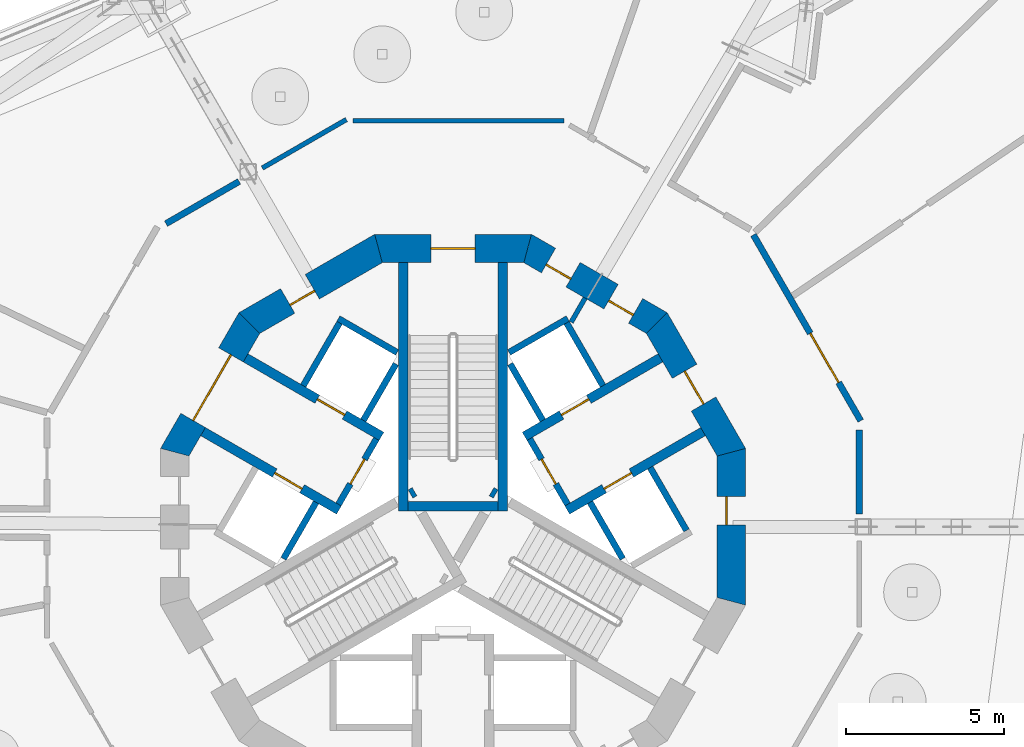
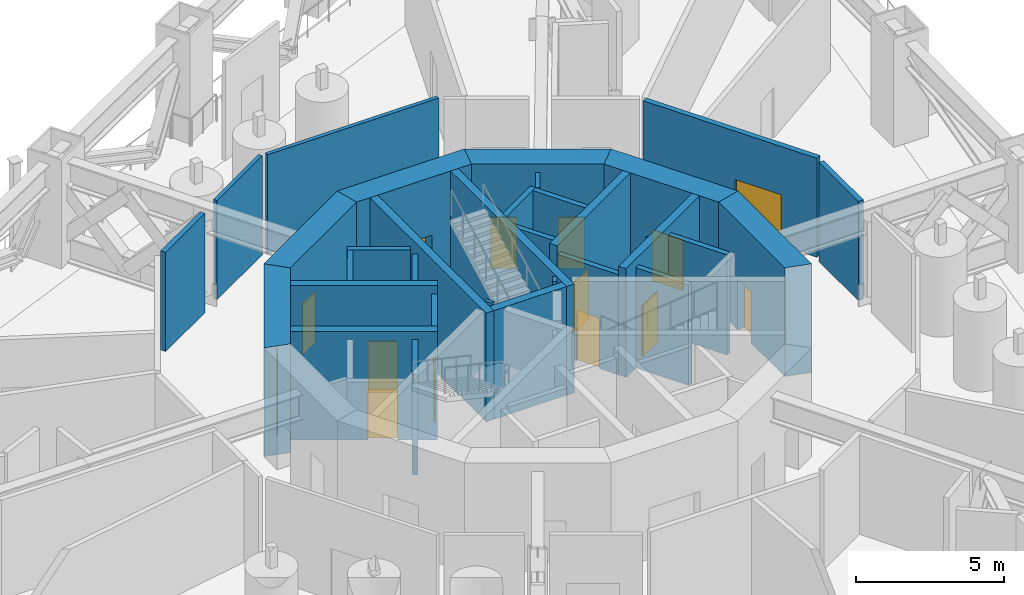
# One storey, part 11 of 23: 32 walls, 14 doors, 14 openings.
"""IFC4 building model written with IfcOpenShell, lengths in metres."""

from ifc_helpers import new_model, si_unit, direction, frame, frame_2d, origin, place, context, subcontext, project, spatial, polyline, rectangle, outline, extrude, material, layer, layer_set, type_object, element, fill, save


model = new_model("IFC4")

# Units and contexts
model_context = context("Model", 3, precision=1e-05, world=origin(), true_north=direction((0.0, 1.0)))
body_context = subcontext(model_context, "Body", "Model", "MODEL_VIEW")
ifc_project = project(units=[si_unit("LENGTHUNIT", "METRE"), si_unit("AREAUNIT", "SQUARE_METRE"), si_unit("VOLUMEUNIT", "CUBIC_METRE"), si_unit("PLANEANGLEUNIT", "RADIAN"), si_unit("MASSUNIT", "GRAM", prefix="KILO")], contexts=[model_context])

# Site, building, storey
site_placement = place(None, origin())
site = spatial("IfcSite", under=ifc_project, at=site_placement, CompositionType="ELEMENT")
building_placement = place(site_placement, origin())
building = spatial("IfcBuilding", under=site, at=building_placement, Name="Trine Commons Tower", CompositionType="ELEMENT")
storey_placement = place(building_placement, frame((0.0, 0.0, 156.60009765625)))
storey = spatial("IfcBuildingStorey", under=building, at=storey_placement, Name="L40", CompositionType="ELEMENT", Elevation=156.60009765625)

# Walls
ifc_material_1 = material(Name="Plasterboard on steel stud", Category="steel")
ifc_layer_1 = layer(ifc_material_1, 0.14990234375)
ifc_layer_set_1 = layer_set([ifc_layer_1], Name="Plasterboard on steel stud")
wall_type_1 = type_object("IfcWallType", Name="Compartment wall 150 mm, EI 60", PredefinedType="PARTITIONING", material=ifc_layer_set_1)
wall_1_placement = place(storey_placement, frame((73.953125, 73.873046875, 0.0), z_axis=(0.0, 0.0, 1.0), x_axis=(0.866011032073, 0.500024891708, 0.0)))
element("IfcWall", 1, at=wall_1_placement, inside=storey, type_object=wall_type_1, Name="Partition M40023", PredefinedType="PARTITIONING", context=body_context, shape_type="SweptSolid", body=[
    extrude(rectangle(XDim=3.074462890625, YDim=0.14990234375, at=frame_2d((1.537109375, 0.0))), origin(), (0.0, 0.0, 1.0), 4.099853515625),
])
wall_2_placement = place(storey_placement, frame((76.83056640625, 75.372802734375, 0.0), z_axis=(0.0, 0.0, 1.0), x_axis=(1.0, 0.0, 0.0)))
element("IfcWall", 2, at=wall_2_placement, inside=storey, type_object=wall_type_1, Name="Partition M40025", PredefinedType="PARTITIONING", context=body_context, shape_type="SweptSolid", body=[
    extrude(rectangle(XDim=6.693603515625, YDim=0.14990234375, at=frame_2d((3.3466796875, 0.0))), origin(), (0.0, 0.0, 1.0), 4.099853515625),
])
ifc_material_2 = material(Name="Plasterboard partition on steel studs", Category="steel")
ifc_layer_2 = layer(ifc_material_2, 0.14990234375)
ifc_layer_set_2 = layer_set([ifc_layer_2], Name="Plasterboard partition on steel studs")
wall_type_2 = type_object("IfcWallType", Name="Core room partition 150 mm, EI 60", PredefinedType="PARTITIONING", material=ifc_layer_set_2)
wall_3_placement = place(storey_placement, frame((84.18603515625, 69.7509765625, 0.0), z_axis=(0.0, 0.0, 1.0), x_axis=(-0.499890179513, -0.866088799389, 0.0)))
element("IfcWall", 3, at=wall_3_placement, inside=storey, type_object=wall_type_2, Name="Core room partition L40", PredefinedType="PARTITIONING", context=body_context, shape_type="SweptSolid", body=[
    extrude(rectangle(XDim=0.882080078125, YDim=0.14990234375, at=frame_2d((0.44091796875, 0.0))), origin(), (0.0, 0.0, 1.0), 4.14990234375),
])
ifc_layer_3 = layer(ifc_material_1, 0.199951171875)
ifc_layer_set_3 = layer_set([ifc_layer_3], Name="Plasterboard on steel stud")
wall_type_3 = type_object("IfcWallType", Name="Fire wall 200 mm, EI 120", PredefinedType="PARTITIONING", material=ifc_layer_set_3)
wall_4_placement = place(storey_placement, frame((70.899658203125, 72.110107421875, 0.0), z_axis=(0.0, 0.0, 1.0), x_axis=(0.865994143547, 0.500054140411, 0.0)))
element("IfcWall", 4, at=wall_4_placement, inside=storey, type_object=wall_type_3, Name="Partition M40021", PredefinedType="PARTITIONING", context=body_context, shape_type="SweptSolid", body=[
    extrude(rectangle(XDim=2.676025390625, YDim=0.199951171875, at=frame_2d((1.337890625, 0.0))), origin(), (0.0, 0.0, 1.0), 4.099853515625),
])

# Wall, opening, door
wall_5_placement = place(storey_placement, frame((92.9228515625, 65.86279296875, 0.0), z_axis=(0.0, 0.0, 1.0), x_axis=(-0.500022813292, 0.866012232124, 0.0)))
wall_5 = element("IfcWall", 5, at=wall_5_placement, inside=storey, type_object=wall_type_3, Name="Partition M40044", PredefinedType="PARTITIONING", context=body_context, shape_type="SweptSolid", body=[
    extrude(rectangle(XDim=6.801513671875, YDim=0.199951171875, at=frame_2d((3.40087890625, 0.0))), origin(), (0.0, 0.0, 1.0), 4.099853515625),
])
opening_1_placement = place(wall_5_placement, frame((1.399169921875, 0.0, 0.0)))
opening_1 = element("IfcOpeningElement", 6, at=opening_1_placement, cuts=wall_5, Name="Opening D-M4013", PredefinedType="OPENING", context=body_context, shape_type="SweptSolid", body=[
    extrude(rectangle(XDim=1.800048828125, YDim=2.10009765625, at=frame_2d((0.89990234375, 1.050048828125))), frame((0.0, 0.10986328125, 0.0), z_axis=(0.0, -1.0, 0.0), x_axis=(1.0, 0.0, 0.0)), (0.0, 0.0, 1.0), 0.219970703125),
])
ifc_material_3 = material(Name="Timber fire door set", Category="wood")
door_type_1 = type_object("IfcDoorType", Name="Double swing door 1800x2100, FD60", OperationType="DOUBLE_DOOR_DOUBLE_SWING", PredefinedType="DOOR", material=ifc_material_3)
door_1_placement = place(opening_1_placement, origin())
door_1 = element("IfcDoor", 7, at=door_1_placement, inside=storey, type_object=door_type_1, Name="Door D-M4013", OperationType="DOUBLE_DOOR_DOUBLE_SWING", OverallHeight=2.10009765625, OverallWidth=1.800048828125, PredefinedType="DOOR", context=body_context, shape_type="SweptSolid", body=[
    extrude(rectangle(XDim=1.800048828125, YDim=2.10009765625, at=frame_2d((0.89990234375, 1.050048828125))), frame((0.0, 0.02490234375, 0.0), z_axis=(0.0, -1.0, 0.0), x_axis=(1.0, 0.0, 0.0)), (0.0, 0.0, 1.0), 0.050048828125),
])
fill(opening_1, door_1)

# Wall
wall_6_placement = place(storey_placement, frame((92.872802734375, 62.89990234375, 0.0), z_axis=(0.0, 0.0, 1.0), x_axis=(0.0, 1.0, 0.0)))
element("IfcWall", 8, at=wall_6_placement, inside=storey, type_object=wall_type_3, Name="Partition M40053", PredefinedType="PARTITIONING", context=body_context, shape_type="SweptSolid", body=[
    extrude(rectangle(XDim=2.67626953125, YDim=0.199951171875, at=frame_2d((1.338134765625, 0.0))), origin(), (0.0, 0.0, 1.0), 4.099853515625),
])

# Wall, opening, door
ifc_material_4 = material(Name="Fire-rated gypsum shaft wall system")
ifc_layer_4 = layer(ifc_material_4, 0.199951171875)
ifc_layer_set_4 = layer_set([ifc_layer_4], Name="Fire-rated gypsum shaft wall system")
wall_type_4 = type_object("IfcWallType", Name="Lobby end wall 200 mm, EI 120", PredefinedType="PARTITIONING", material=ifc_layer_set_4)
wall_7_placement = place(storey_placement, frame((77.569091796875, 65.2890625, 0.0), z_axis=(0.0, 0.0, 1.0), x_axis=(-0.50012165622, -0.865955154139, 0.0)))
wall_7 = element("IfcWall", 9, at=wall_7_placement, inside=storey, type_object=wall_type_4, Name="Lobby end wall L40", PredefinedType="PARTITIONING", context=body_context, shape_type="SweptSolid", body=[
    extrude(rectangle(XDim=2.39990234375, YDim=0.199951171875, at=frame_2d((1.199951171875, 0.0))), origin(), (0.0, 0.0, 1.0), 4.14990234375),
])
opening_2_placement = place(wall_7_placement, frame((0.749755859375, 0.0, 0.0)))
opening_2 = element("IfcOpeningElement", 10, at=opening_2_placement, cuts=wall_7, Name="Opening K13.07", PredefinedType="OPENING", context=body_context, shape_type="SweptSolid", body=[
    extrude(rectangle(XDim=0.89990234375, YDim=2.10009765625, at=frame_2d((0.449951171875, 1.050048828125))), frame((0.0, 0.10986328125, 0.0), z_axis=(0.0, -1.0, 0.0), x_axis=(1.0, 0.0, 0.0)), (0.0, 0.0, 1.0), 0.219970703125),
])
ifc_material_5 = material(Name="Steel door leaf, fire-rated", Category="steel")
door_type_2 = type_object("IfcDoorType", Name="Riser access door, single leaf 900 x 2100, FD60", OperationType="SINGLE_SWING_LEFT", PredefinedType="DOOR", material=ifc_material_5)
door_2_placement = place(opening_2_placement, frame((0.89990234375, 0.0, 0.0), z_axis=(0.0, 0.0, 1.0), x_axis=(-1.0, 0.0, 0.0)))
door_2 = element("IfcDoor", 11, at=door_2_placement, inside=storey, type_object=door_type_2, Name="Riser door, Mechanical riser L40", OperationType="SINGLE_SWING_RIGHT", OverallHeight=2.10009765625, OverallWidth=0.89990234375, PredefinedType="DOOR", context=body_context, shape_type="SweptSolid", body=[
    extrude(rectangle(XDim=0.89990234375, YDim=2.10009765625, at=frame_2d((0.449951171875, 1.050048828125))), frame((0.0, 0.02490234375, 0.0), z_axis=(0.0, -1.0, 0.0), x_axis=(1.0, 0.0, 0.0)), (0.0, 0.0, 1.0), 0.050048828125),
])
fill(opening_2, door_2)

wall_8_placement = place(storey_placement, frame((83.631103515625, 63.2109375, 0.0), z_axis=(0.0, 0.0, 1.0), x_axis=(-0.50012165622, 0.865955154139, 0.0)))
wall_8 = element("IfcWall", 12, at=wall_8_placement, inside=storey, type_object=wall_type_4, Name="Lobby end wall L40", PredefinedType="PARTITIONING", context=body_context, shape_type="SweptSolid", body=[
    extrude(rectangle(XDim=2.39990234375, YDim=0.199951171875, at=frame_2d((1.199951171875, 0.0))), origin(), (0.0, 0.0, 1.0), 4.14990234375),
])
opening_3_placement = place(wall_8_placement, frame((0.749755859375, 0.0, 0.0)))
opening_3 = element("IfcOpeningElement", 13, at=opening_3_placement, cuts=wall_8, Name="Opening K13.05", PredefinedType="OPENING", context=body_context, shape_type="SweptSolid", body=[
    extrude(rectangle(XDim=0.89990234375, YDim=2.10009765625, at=frame_2d((0.449951171875, 1.050048828125))), frame((0.0, 0.10986328125, 0.0), z_axis=(0.0, -1.0, 0.0), x_axis=(1.0, 0.0, 0.0)), (0.0, 0.0, 1.0), 0.219970703125),
])
door_3_placement = place(opening_3_placement, frame((0.89990234375, 0.0, 0.0), z_axis=(0.0, 0.0, 1.0), x_axis=(-1.0, 0.0, 0.0)))
door_3 = element("IfcDoor", 14, at=door_3_placement, inside=storey, type_object=door_type_2, Name="Riser door, Electrical riser L40", OperationType="SINGLE_SWING_LEFT", OverallHeight=2.10009765625, OverallWidth=0.89990234375, PredefinedType="DOOR", context=body_context, shape_type="SweptSolid", body=[
    extrude(rectangle(XDim=0.89990234375, YDim=2.10009765625, at=frame_2d((0.449951171875, 1.050048828125))), frame((0.0, 0.02490234375, 0.0), z_axis=(0.0, -1.0, 0.0), x_axis=(1.0, 0.0, 0.0)), (0.0, 0.0, 1.0), 0.050048828125),
])
fill(opening_3, door_3)

ifc_material_6 = material(Name="Concrete C60/75", Category="concrete")
ifc_layer_5 = layer(ifc_material_6, 0.300048828125)
ifc_layer_set_5 = layer_set([ifc_layer_5], Name="Concrete C60/75")
wall_type_5 = type_object("IfcWallType", Name="RC shear wall 300 mm, C60/75", PredefinedType="SHEAR", material=ifc_layer_set_5)
wall_9_placement = place(storey_placement, frame((76.381103515625, 63.031005859375, 0.0), z_axis=(0.0, 0.0, 1.0), x_axis=(-0.866080953719, 0.499903772346, 0.0)))
wall_9 = element("IfcWall", 15, at=wall_9_placement, inside=storey, type_object=wall_type_5, Name="Core cross wall SWB-01 L40", PredefinedType="SHEAR", context=body_context, shape_type="SweptSolid", body=[
    extrude(rectangle(XDim=4.97314453125, YDim=0.300048828125, at=frame_2d((2.486572265625, 0.0))), origin(), (0.0, 0.0, 1.0), 4.5),
])
opening_4_placement = place(wall_9_placement, frame((1.350341796875, 0.0, 0.0)))
opening_4 = element("IfcOpeningElement", 16, at=opening_4_placement, cuts=wall_9, Name="Opening LD7", PredefinedType="OPENING", context=body_context, shape_type="SweptSolid", body=[
    extrude(rectangle(XDim=1.0, YDim=2.10009765625, at=frame_2d((0.5, 1.050048828125))), frame((0.0, 0.159912109375, 0.0), z_axis=(0.0, -1.0, 0.0), x_axis=(1.0, 0.0, 0.0)), (0.0, 0.0, 1.0), 0.320068359375),
])
ifc_material_7 = material(Name="Stainless steel sliding door leaves", Category="steel")
door_type_3 = type_object("IfcDoorType", Name="Lift landing door, centre-opening sliding 1000 x 2100, FD90", OperationType="DOUBLE_DOOR_SLIDING", PredefinedType="DOOR", material=ifc_material_7)
door_4_placement = place(opening_4_placement, origin())
door_4 = element("IfcDoor", 17, at=door_4_placement, inside=storey, type_object=door_type_3, Name="Lift landing door HR3 L40", OperationType="DOUBLE_DOOR_SLIDING", OverallHeight=2.10009765625, OverallWidth=1.0, PredefinedType="DOOR", context=body_context, shape_type="SweptSolid", body=[
    extrude(rectangle(XDim=1.0, YDim=2.10009765625, at=frame_2d((0.5, 1.050048828125))), frame((0.0, 0.02490234375, 0.0), z_axis=(0.0, -1.0, 0.0), x_axis=(1.0, 0.0, 0.0)), (0.0, 0.0, 1.0), 0.050048828125),
])
fill(opening_4, door_4)

wall_10_placement = place(storey_placement, frame((77.73095703125, 65.368896484375, 0.0), z_axis=(0.0, 0.0, 1.0), x_axis=(-0.865983655544, 0.500072303102, 0.0)))
wall_10 = element("IfcWall", 18, at=wall_10_placement, inside=storey, type_object=wall_type_5, Name="Core cross wall SWB-02 L40", PredefinedType="SHEAR", context=body_context, shape_type="SweptSolid", body=[
    extrude(rectangle(XDim=4.973388671875, YDim=0.300048828125, at=frame_2d((2.48681640625, 0.0))), origin(), (0.0, 0.0, 1.0), 4.5),
])
opening_5_placement = place(wall_10_placement, frame((1.3505859375, 0.0, 0.0)))
opening_5 = element("IfcOpeningElement", 19, at=opening_5_placement, cuts=wall_10, Name="Opening LD8", PredefinedType="OPENING", context=body_context, shape_type="SweptSolid", body=[
    extrude(rectangle(XDim=1.0, YDim=2.10009765625, at=frame_2d((0.5, 1.050048828125))), frame((0.0, 0.159912109375, 0.0), z_axis=(0.0, -1.0, 0.0), x_axis=(1.0, 0.0, 0.0)), (0.0, 0.0, 1.0), 0.320068359375),
])
door_5_placement = place(opening_5_placement, origin())
door_5 = element("IfcDoor", 20, at=door_5_placement, inside=storey, type_object=door_type_3, Name="Lift landing door HR4 L40", OperationType="DOUBLE_DOOR_SLIDING", OverallHeight=2.10009765625, OverallWidth=1.0, PredefinedType="DOOR", context=body_context, shape_type="SweptSolid", body=[
    extrude(rectangle(XDim=1.0, YDim=2.10009765625, at=frame_2d((0.5, 1.050048828125))), frame((0.0, 0.02490234375, 0.0), z_axis=(0.0, -1.0, 0.0), x_axis=(1.0, 0.0, 0.0)), (0.0, 0.0, 1.0), 0.050048828125),
])
fill(opening_5, door_5)

wall_11_placement = place(storey_placement, frame((82.26904296875, 65.368896484375, 0.0), z_axis=(0.0, 0.0, 1.0), x_axis=(0.865983655544, 0.500072303102, 0.0)))
wall_11 = element("IfcWall", 21, at=wall_11_placement, inside=storey, type_object=wall_type_5, Name="Core cross wall SWB-05 L40", PredefinedType="SHEAR", context=body_context, shape_type="SweptSolid", body=[
    extrude(rectangle(XDim=4.973388671875, YDim=0.300048828125, at=frame_2d((2.48681640625, 0.0))), origin(), (0.0, 0.0, 1.0), 4.5),
])
opening_6_placement = place(wall_11_placement, frame((1.3505859375, 0.0, 0.0)))
opening_6 = element("IfcOpeningElement", 22, at=opening_6_placement, cuts=wall_11, Name="Opening LD5", PredefinedType="OPENING", context=body_context, shape_type="SweptSolid", body=[
    extrude(rectangle(XDim=1.0, YDim=2.10009765625, at=frame_2d((0.5, 1.050048828125))), frame((0.0, 0.159912109375, 0.0), z_axis=(0.0, -1.0, 0.0), x_axis=(1.0, 0.0, 0.0)), (0.0, 0.0, 1.0), 0.320068359375),
])
door_6_placement = place(opening_6_placement, origin())
door_6 = element("IfcDoor", 23, at=door_6_placement, inside=storey, type_object=door_type_3, Name="Lift landing door HR1 L40", OperationType="DOUBLE_DOOR_SLIDING", OverallHeight=2.10009765625, OverallWidth=1.0, PredefinedType="DOOR", context=body_context, shape_type="SweptSolid", body=[
    extrude(rectangle(XDim=1.0, YDim=2.10009765625, at=frame_2d((0.5, 1.050048828125))), frame((0.0, 0.02490234375, 0.0), z_axis=(0.0, -1.0, 0.0), x_axis=(1.0, 0.0, 0.0)), (0.0, 0.0, 1.0), 0.050048828125),
])
fill(opening_6, door_6)

wall_12_placement = place(storey_placement, frame((83.618896484375, 63.031005859375, 0.0), z_axis=(0.0, 0.0, 1.0), x_axis=(0.866080953719, 0.499903772346, 0.0)))
wall_12 = element("IfcWall", 24, at=wall_12_placement, inside=storey, type_object=wall_type_5, Name="Core cross wall SWB-06 L40", PredefinedType="SHEAR", context=body_context, shape_type="SweptSolid", body=[
    extrude(rectangle(XDim=4.97314453125, YDim=0.300048828125, at=frame_2d((2.486572265625, 0.0))), origin(), (0.0, 0.0, 1.0), 4.5),
])
opening_7_placement = place(wall_12_placement, frame((1.350341796875, 0.0, 0.0)))
opening_7 = element("IfcOpeningElement", 25, at=opening_7_placement, cuts=wall_12, Name="Opening LD6", PredefinedType="OPENING", context=body_context, shape_type="SweptSolid", body=[
    extrude(rectangle(XDim=1.0, YDim=2.10009765625, at=frame_2d((0.5, 1.050048828125))), frame((0.0, 0.159912109375, 0.0), z_axis=(0.0, -1.0, 0.0), x_axis=(1.0, 0.0, 0.0)), (0.0, 0.0, 1.0), 0.320068359375),
])
door_7_placement = place(opening_7_placement, origin())
door_7 = element("IfcDoor", 26, at=door_7_placement, inside=storey, type_object=door_type_3, Name="Lift landing door HR2 L40", OperationType="DOUBLE_DOOR_SLIDING", OverallHeight=2.10009765625, OverallWidth=1.0, PredefinedType="DOOR", context=body_context, shape_type="SweptSolid", body=[
    extrude(rectangle(XDim=1.0, YDim=2.10009765625, at=frame_2d((0.5, 1.050048828125))), frame((0.0, 0.02490234375, 0.0), z_axis=(0.0, -1.0, 0.0), x_axis=(1.0, 0.0, 0.0)), (0.0, 0.0, 1.0), 0.050048828125),
])
fill(opening_7, door_7)

# Walls
wall_13_placement = place(storey_placement, frame((78.425048828125, 63.0009765625, 0.0), z_axis=(0.0, 0.0, 1.0), x_axis=(0.0, 1.0, 0.0)))
element("IfcWall", 27, at=wall_13_placement, inside=storey, type_object=wall_type_5, Name="Core cross wall SWB-08 L40", PredefinedType="SHEAR", context=body_context, shape_type="SweptSolid", body=[
    extrude(rectangle(XDim=7.8720703125, YDim=0.300048828125, at=frame_2d((3.93603515625, 0.0))), origin(), (0.0, 0.0, 1.0), 4.5),
])
for number, where, z_axis, x_axis, name in (
    (28, (78.779052734375, 63.614013671875, 0.0), (0.0, 0.0, 1.0), (-0.867737973955, -0.497021939713, 0.0), "Core cross wall SWB-09 L40"),
    (29, (81.220947265625, 63.614013671875, 0.0), (0.0, 0.0, 1.0), (0.867737973955, -0.497021939713, 0.0), "Core cross wall SWB-15 L40"),
):
    element("IfcWall", number, at=place(storey_placement, frame(where, z_axis=z_axis, x_axis=x_axis)), inside=storey, type_object=wall_type_5, Name=name, PredefinedType="SHEAR", context=body_context, shape_type="SweptSolid", body=[
        extrude(rectangle(XDim=0.14892578125, YDim=0.300048828125, at=frame_2d((0.074462890625, 0.0))), origin(), (0.0, 0.0, 1.0), 4.5),
    ])
wall_14_placement = place(storey_placement, frame((81.425048828125, 63.15087890625, 0.0), z_axis=(0.0, 0.0, 1.0), x_axis=(-1.0, 0.0, 0.0)))
element("IfcWall", 30, at=wall_14_placement, inside=storey, type_object=wall_type_5, Name="Core cross wall SWB-16 L40", PredefinedType="SHEAR", context=body_context, shape_type="SweptSolid", body=[
    extrude(rectangle(XDim=2.85009765625, YDim=0.300048828125, at=frame_2d((1.425048828125, 0.0))), origin(), (0.0, 0.0, 1.0), 4.5),
])
wall_15_placement = place(storey_placement, frame((81.574951171875, 63.0009765625, 0.0), z_axis=(0.0, 0.0, 1.0), x_axis=(0.0, 1.0, 0.0)))
element("IfcWall", 31, at=wall_15_placement, inside=storey, type_object=wall_type_5, Name="Core cross wall SWB-17 L40", PredefinedType="SHEAR", context=body_context, shape_type="SweptSolid", body=[
    extrude(rectangle(XDim=7.8720703125, YDim=0.300048828125, at=frame_2d((3.93603515625, 0.0))), origin(), (0.0, 0.0, 1.0), 4.5),
])

# Wall, opening, door
ifc_layer_6 = layer(ifc_material_6, 0.89990234375)
ifc_layer_set_6 = layer_set([ifc_layer_6], Name="Concrete C60/75")
wall_type_6 = type_object("IfcWallType", Name="RC shear wall 900 mm, C60/75", PredefinedType="SHEAR", material=ifc_layer_set_6)
wall_16_placement = place(storey_placement, frame((88.822998046875, 60.015380859375, 0.0), z_axis=(0.0, 0.0, 1.0), x_axis=(0.0, 1.0, 0.0)))
wall_16 = element("IfcWall", 32, at=wall_16_placement, inside=storey, type_object=wall_type_6, Name="Core wall CWE-01 L40", PredefinedType="SHEAR", context=body_context, shape_type="SweptSolid", body=[
    extrude(outline(polyline([(0.0, -0.449951171875), (4.969482421875, -0.449951171875), (4.728271484375, 0.449951171875), (0.2412109375, 0.449951171875), (0.0, -0.449951171875)])), origin(), (0.0, 0.0, 1.0), 4.5),
])
opening_8_placement = place(wall_16_placement, frame((2.543701171875, 0.0, 0.0)))
opening_8 = element("IfcOpeningElement", 33, at=opening_8_placement, cuts=wall_16, Name="Opening K13.10", PredefinedType="OPENING", context=body_context, shape_type="SweptSolid", body=[
    extrude(rectangle(XDim=0.89990234375, YDim=2.10009765625, at=frame_2d((0.449951171875, 1.050048828125))), frame((0.0, 0.4599609375, 0.0), z_axis=(0.0, -1.0, 0.0), x_axis=(1.0, 0.0, 0.0)), (0.0, 0.0, 1.0), 0.919921875),
])
door_type_4 = type_object("IfcDoorType", Name="Core room door, single leaf 900 x 2100, FD30S", OperationType="SINGLE_SWING_LEFT", PredefinedType="DOOR", material=ifc_material_5)
door_8_placement = place(opening_8_placement, origin())
door_8 = element("IfcDoor", 34, at=door_8_placement, inside=storey, type_object=door_type_4, Name="Door to Store L40", OperationType="SINGLE_SWING_RIGHT", OverallHeight=2.10009765625, OverallWidth=0.89990234375, PredefinedType="DOOR", context=body_context, shape_type="SweptSolid", body=[
    extrude(rectangle(XDim=0.89990234375, YDim=2.10009765625, at=frame_2d((0.449951171875, 1.050048828125))), frame((0.0, 0.1748046875, 0.0), z_axis=(0.0, -1.0, 0.0), x_axis=(1.0, 0.0, 0.0)), (0.0, 0.0, 1.0), 0.050048828125),
])
fill(opening_8, door_8)

wall_17_placement = place(storey_placement, frame((88.88330078125, 64.759765625, 0.0), z_axis=(0.0, 0.0, 1.0), x_axis=(-0.500038571144, 0.866003133579, 0.0)))
wall_17 = element("IfcWall", 35, at=wall_17_placement, inside=storey, type_object=wall_type_6, Name="Core wall CWE-02 L40", PredefinedType="SHEAR", context=body_context, shape_type="SweptSolid", body=[
    extrude(outline(polyline([(0.0, -0.449951171875), (4.96923828125, -0.449951171875), (4.72802734375, 0.449951171875), (0.2412109375, 0.449951171875), (0.0, -0.449951171875)])), origin(), (0.0, 0.0, 1.0), 4.5),
])
opening_9_placement = place(wall_17_placement, frame((1.884521484375, 0.0, 0.0)))
opening_9 = element("IfcOpeningElement", 36, at=opening_9_placement, cuts=wall_17, Name="Opening K13.04", PredefinedType="OPENING", context=body_context, shape_type="SweptSolid", body=[
    extrude(rectangle(XDim=1.199951171875, YDim=2.10009765625, at=frame_2d((0.60009765625, 1.050048828125))), frame((0.0, 0.4599609375, 0.0), z_axis=(0.0, -1.0, 0.0), x_axis=(1.0, 0.0, 0.0)), (0.0, 0.0, 1.0), 0.919921875),
])
ifc_material_8 = material(Name="Steel door leaves, fire-rated", Category="steel")
door_type_5 = type_object("IfcDoorType", Name="Lobby door, double leaf 1200 x 2100, FD60", OperationType="DOUBLE_DOOR_SINGLE_SWING", PredefinedType="DOOR", material=ifc_material_8)
door_9_placement = place(opening_9_placement, origin())
door_9 = element("IfcDoor", 37, at=door_9_placement, inside=storey, type_object=door_type_5, Name="Lobby door, Passenger lift lobby A L40", OperationType="DOUBLE_DOOR_SINGLE_SWING", OverallHeight=2.10009765625, OverallWidth=1.199951171875, PredefinedType="DOOR", context=body_context, shape_type="SweptSolid", body=[
    extrude(rectangle(XDim=1.199951171875, YDim=2.10009765625, at=frame_2d((0.60009765625, 1.050048828125))), frame((0.0, 0.02490234375, 0.0), z_axis=(0.0, -1.0, 0.0), x_axis=(1.0, 0.0, 0.0)), (0.0, 0.0, 1.0), 0.050048828125),
])
fill(opening_9, door_9)

# Wall, openings, doors
wall_18_placement = place(storey_placement, frame((86.563232421875, 68.8984375, 0.0), z_axis=(0.0, 0.0, 1.0), x_axis=(-0.866003133579, 0.500038571144, 0.0)))
wall_18 = element("IfcWall", 38, at=wall_18_placement, inside=storey, type_object=wall_type_6, Name="Core wall CWE-03 L40", PredefinedType="SHEAR", context=body_context, shape_type="SweptSolid", body=[
    extrude(outline(polyline([(0.0, -0.449951171875), (4.96923828125, -0.449951171875), (4.72802734375, 0.449951171875), (0.2412109375, 0.449951171875), (0.0, -0.449951171875)])), origin(), (0.0, 0.0, 1.0), 4.5),
])
opening_10_placement = place(wall_18_placement, frame((0.89599609375, 0.0, 0.0)))
opening_10 = element("IfcOpeningElement", 39, at=opening_10_placement, cuts=wall_18, Name="Opening K13.11", PredefinedType="OPENING", context=body_context, shape_type="SweptSolid", body=[
    extrude(rectangle(XDim=0.89990234375, YDim=2.10009765625, at=frame_2d((0.449951171875, 1.050048828125))), frame((0.0, 0.4599609375, 0.0), z_axis=(0.0, -1.0, 0.0), x_axis=(1.0, 0.0, 0.0)), (0.0, 0.0, 1.0), 0.919921875),
])
opening_11_placement = place(wall_18_placement, frame((3.18505859375, 0.0, 0.0)))
opening_11 = element("IfcOpeningElement", 40, at=opening_11_placement, cuts=wall_18, Name="Opening K13.12", PredefinedType="OPENING", context=body_context, shape_type="SweptSolid", body=[
    extrude(rectangle(XDim=0.89990234375, YDim=2.10009765625, at=frame_2d((0.449951171875, 1.050048828125))), frame((0.0, 0.4599609375, 0.0), z_axis=(0.0, -1.0, 0.0), x_axis=(1.0, 0.0, 0.0)), (0.0, 0.0, 1.0), 0.919921875),
])
door_10_placement = place(opening_10_placement, origin())
door_10 = element("IfcDoor", 41, at=door_10_placement, inside=storey, type_object=door_type_4, Name="Door to Comms room L40", OperationType="SINGLE_SWING_LEFT", OverallHeight=2.10009765625, OverallWidth=0.89990234375, PredefinedType="DOOR", context=body_context, shape_type="SweptSolid", body=[
    extrude(rectangle(XDim=0.89990234375, YDim=2.10009765625, at=frame_2d((0.449951171875, 1.050048828125))), frame((0.0, 0.1748046875, 0.0), z_axis=(0.0, -1.0, 0.0), x_axis=(1.0, 0.0, 0.0)), (0.0, 0.0, 1.0), 0.050048828125),
])
fill(opening_10, door_10)
door_11_placement = place(opening_11_placement, origin())
door_11 = element("IfcDoor", 42, at=door_11_placement, inside=storey, type_object=door_type_4, Name="Door to Store L40", OperationType="SINGLE_SWING_RIGHT", OverallHeight=2.10009765625, OverallWidth=0.89990234375, PredefinedType="DOOR", context=body_context, shape_type="SweptSolid", body=[
    extrude(rectangle(XDim=0.89990234375, YDim=2.10009765625, at=frame_2d((0.449951171875, 1.050048828125))), frame((0.0, 0.1748046875, 0.0), z_axis=(0.0, -1.0, 0.0), x_axis=(1.0, 0.0, 0.0)), (0.0, 0.0, 1.0), 0.050048828125),
])
fill(opening_11, door_11)

# Wall, opening, door
wall_19_placement = place(storey_placement, frame((82.484619140625, 71.322998046875, 0.0), z_axis=(0.0, 0.0, 1.0), x_axis=(-1.0, 0.0, 0.0)))
wall_19 = element("IfcWall", 43, at=wall_19_placement, inside=storey, type_object=wall_type_6, Name="Core wall CWE-04 L40", PredefinedType="SHEAR", context=body_context, shape_type="SweptSolid", body=[
    extrude(outline(polyline([(0.0, -0.449951171875), (4.969482421875, -0.449951171875), (4.728271484375, 0.449951171875), (0.2412109375, 0.449951171875), (0.0, -0.449951171875)])), origin(), (0.0, 0.0, 1.0), 4.5),
])
opening_12_placement = place(wall_19_placement, frame((1.78466796875, 0.0, 0.0)))
opening_12 = element("IfcOpeningElement", 44, at=opening_12_placement, cuts=wall_19, Name="Opening K13.01", PredefinedType="OPENING", context=body_context, shape_type="SweptSolid", body=[
    extrude(rectangle(XDim=1.39990234375, YDim=2.10009765625, at=frame_2d((0.699951171875, 1.050048828125))), frame((0.0, 0.4599609375, 0.0), z_axis=(0.0, -1.0, 0.0), x_axis=(1.0, 0.0, 0.0)), (0.0, 0.0, 1.0), 0.919921875),
])
door_type_6 = type_object("IfcDoorType", Name="Stair door, double leaf 1400 x 2100, FD90", OperationType="DOUBLE_DOOR_SINGLE_SWING", PredefinedType="DOOR", material=ifc_material_8)
door_12_placement = place(opening_12_placement, origin())
door_12 = element("IfcDoor", 45, at=door_12_placement, inside=storey, type_object=door_type_6, Name="Stair door to Exit stair ST1B L40", OperationType="DOUBLE_DOOR_SINGLE_SWING", OverallHeight=2.10009765625, OverallWidth=1.39990234375, PredefinedType="DOOR", context=body_context, shape_type="SweptSolid", body=[
    extrude(rectangle(XDim=1.39990234375, YDim=2.10009765625, at=frame_2d((0.699951171875, 1.050048828125))), frame((0.0, 0.02490234375, 0.0), z_axis=(0.0, -1.0, 0.0), x_axis=(1.0, 0.0, 0.0)), (0.0, 0.0, 1.0), 0.050048828125),
])
fill(opening_12, door_12)

wall_20_placement = place(storey_placement, frame((77.740234375, 71.38330078125, 0.0), z_axis=(0.0, 0.0, 1.0), x_axis=(-0.866003133579, -0.500038571144, 0.0)))
wall_20 = element("IfcWall", 46, at=wall_20_placement, inside=storey, type_object=wall_type_6, Name="Core wall CWE-05 L40", PredefinedType="SHEAR", context=body_context, shape_type="SweptSolid", body=[
    extrude(outline(polyline([(0.0, -0.449951171875), (4.96923828125, -0.449951171875), (4.72802734375, 0.449951171875), (0.2412109375, 0.449951171875), (0.0, -0.449951171875)])), origin(), (0.0, 0.0, 1.0), 4.5),
])
opening_13_placement = place(wall_20_placement, frame((2.544921875, 0.0, 0.0)))
opening_13 = element("IfcOpeningElement", 47, at=opening_13_placement, cuts=wall_20, Name="Opening K13.13", PredefinedType="OPENING", context=body_context, shape_type="SweptSolid", body=[
    extrude(rectangle(XDim=0.89990234375, YDim=2.10009765625, at=frame_2d((0.449951171875, 1.050048828125))), frame((0.0, 0.4599609375, 0.0), z_axis=(0.0, -1.0, 0.0), x_axis=(1.0, 0.0, 0.0)), (0.0, 0.0, 1.0), 0.919921875),
])
door_13_placement = place(opening_13_placement, origin())
door_13 = element("IfcDoor", 48, at=door_13_placement, inside=storey, type_object=door_type_4, Name="Door to Electrical room L40", OperationType="SINGLE_SWING_RIGHT", OverallHeight=2.10009765625, OverallWidth=0.89990234375, PredefinedType="DOOR", context=body_context, shape_type="SweptSolid", body=[
    extrude(rectangle(XDim=0.89990234375, YDim=2.10009765625, at=frame_2d((0.449951171875, 1.050048828125))), frame((0.0, 0.1748046875, 0.0), z_axis=(0.0, -1.0, 0.0), x_axis=(1.0, 0.0, 0.0)), (0.0, 0.0, 1.0), 0.050048828125),
])
fill(opening_13, door_13)

wall_21_placement = place(storey_placement, frame((73.6015625, 69.063232421875, 0.0), z_axis=(0.0, 0.0, 1.0), x_axis=(-0.500038571144, -0.866003133579, 0.0)))
wall_21 = element("IfcWall", 49, at=wall_21_placement, inside=storey, type_object=wall_type_6, Name="Core wall CWE-06 L40", PredefinedType="SHEAR", context=body_context, shape_type="SweptSolid", body=[
    extrude(outline(polyline([(0.0, -0.449951171875), (4.96923828125, -0.449951171875), (4.72802734375, 0.449951171875), (0.2412109375, 0.449951171875), (0.0, -0.449951171875)])), origin(), (0.0, 0.0, 1.0), 4.5),
])
opening_14_placement = place(wall_21_placement, frame((1.28466796875, 0.0, 0.0)))
opening_14 = element("IfcOpeningElement", 50, at=opening_14_placement, cuts=wall_21, Name="Opening K13.06", PredefinedType="OPENING", context=body_context, shape_type="SweptSolid", body=[
    extrude(rectangle(XDim=2.39990234375, YDim=2.10009765625, at=frame_2d((1.199951171875, 1.050048828125))), frame((0.0, 0.4599609375, 0.0), z_axis=(0.0, -1.0, 0.0), x_axis=(1.0, 0.0, 0.0)), (0.0, 0.0, 1.0), 0.919921875),
])
door_type_7 = type_object("IfcDoorType", Name="Lobby door, double leaf 2400 x 2100, FD60", OperationType="DOUBLE_DOOR_SINGLE_SWING", PredefinedType="DOOR", material=ifc_material_8)
door_14_placement = place(opening_14_placement, origin())
door_14 = element("IfcDoor", 51, at=door_14_placement, inside=storey, type_object=door_type_7, Name="Lobby door, Passenger lift lobby B L40", OperationType="DOUBLE_DOOR_SINGLE_SWING", OverallHeight=2.10009765625, OverallWidth=2.39990234375, PredefinedType="DOOR", context=body_context, shape_type="SweptSolid", body=[
    extrude(rectangle(XDim=2.39990234375, YDim=2.10009765625, at=frame_2d((1.199951171875, 1.050048828125))), frame((0.0, 0.02490234375, 0.0), z_axis=(0.0, -1.0, 0.0), x_axis=(1.0, 0.0, 0.0)), (0.0, 0.0, 1.0), 0.050048828125),
])
fill(opening_14, door_14)

# Walls
ifc_layer_7 = layer(ifc_material_4, 0.199951171875)
ifc_layer_set_7 = layer_set([ifc_layer_7], Name="Fire-rated gypsum shaft wall system")
wall_type_7 = type_object("IfcWallType", Name="Shaft wall 200 mm, EI 120", PredefinedType="PARTITIONING", material=ifc_layer_set_7)
wall_22_placement = place(storey_placement, frame((75.2509765625, 66.97412109375, 0.0), z_axis=(0.0, 0.0, 1.0), x_axis=(0.500136062276, 0.86594683394, 0.0)))
element("IfcWall", 52, at=wall_22_placement, inside=storey, type_object=wall_type_7, Name="Shaft wall L40", PredefinedType="PARTITIONING", context=body_context, shape_type="SweptSolid", body=[
    extrude(rectangle(XDim=2.299072265625, YDim=0.199951171875, at=frame_2d((1.1494140625, 0.0))), origin(), (0.0, 0.0, 1.0), 4.14990234375),
])
wall_23_placement = place(storey_placement, frame((75.656005859375, 63.27587890625, 0.0), z_axis=(0.0, 0.0, 1.0), x_axis=(-0.500271688072, -0.86586848777, 0.0)))
element("IfcWall", 53, at=wall_23_placement, inside=storey, type_object=wall_type_7, Name="Shaft wall L40", PredefinedType="PARTITIONING", context=body_context, shape_type="SweptSolid", body=[
    extrude(rectangle(XDim=2.064697265625, YDim=0.199951171875, at=frame_2d((1.0322265625, 0.0))), origin(), (0.0, 0.0, 1.0), 4.14990234375),
])
wall_24_placement = place(storey_placement, frame((77.156005859375, 65.8740234375, 0.0), z_axis=(0.0, 0.0, 1.0), x_axis=(0.499865770674, 0.866102887253, 0.0)))
element("IfcWall", 54, at=wall_24_placement, inside=storey, type_object=wall_type_7, Name="Shaft wall L40", PredefinedType="PARTITIONING", context=body_context, shape_type="SweptSolid", body=[
    extrude(rectangle(XDim=2.064453125, YDim=0.199951171875, at=frame_2d((1.0322265625, 0.0))), origin(), (0.0, 0.0, 1.0), 4.14990234375),
])
for number, where, z_axis, x_axis, name in (
    (55, (78.22509765625, 68.028076171875, 0.0), (0.0, 0.0, 1.0), (-0.866130725101, 0.499817533742, 0.0), "Shaft wall L40"),
    (56, (81.77490234375, 68.028076171875, 0.0), (0.0, 0.0, 1.0), (0.866130725101, 0.499817533742, 0.0), "Shaft wall L40"),
):
    element("IfcWall", number, at=place(storey_placement, frame(where, z_axis=z_axis, x_axis=x_axis)), inside=storey, type_object=wall_type_7, Name=name, PredefinedType="PARTITIONING", context=body_context, shape_type="SweptSolid", body=[
        extrude(rectangle(XDim=2.148681640625, YDim=0.199951171875, at=frame_2d((1.07421875, 0.0))), origin(), (0.0, 0.0, 1.0), 4.14990234375),
    ])
wall_25_placement = place(storey_placement, frame((82.843994140625, 65.8740234375, 0.0), z_axis=(0.0, 0.0, 1.0), x_axis=(-0.499865770674, 0.866102887253, 0.0)))
element("IfcWall", 57, at=wall_25_placement, inside=storey, type_object=wall_type_7, Name="Shaft wall L40", PredefinedType="PARTITIONING", context=body_context, shape_type="SweptSolid", body=[
    extrude(rectangle(XDim=2.064453125, YDim=0.199951171875, at=frame_2d((1.0322265625, 0.0))), origin(), (0.0, 0.0, 1.0), 4.14990234375),
])
wall_26_placement = place(storey_placement, frame((84.343994140625, 63.27587890625, 0.0), z_axis=(0.0, 0.0, 1.0), x_axis=(0.500271688072, -0.86586848777, 0.0)))
element("IfcWall", 58, at=wall_26_placement, inside=storey, type_object=wall_type_7, Name="Shaft wall L40", PredefinedType="PARTITIONING", context=body_context, shape_type="SweptSolid", body=[
    extrude(rectangle(XDim=2.064697265625, YDim=0.199951171875, at=frame_2d((1.0322265625, 0.0))), origin(), (0.0, 0.0, 1.0), 4.14990234375),
])
for number, where, z_axis, x_axis, name in (
    (59, (84.7490234375, 66.97412109375, 0.0), (0.0, 0.0, 1.0), (-0.500136062276, 0.86594683394, 0.0), "Shaft wall L40"),
    (60, (86.2490234375, 64.3759765625, 0.0), (0.0, 0.0, 1.0), (0.500136062276, -0.86594683394, 0.0), "Shaft wall L40"),
):
    element("IfcWall", number, at=place(storey_placement, frame(where, z_axis=z_axis, x_axis=x_axis)), inside=storey, type_object=wall_type_7, Name=name, PredefinedType="PARTITIONING", context=body_context, shape_type="SweptSolid", body=[
        extrude(rectangle(XDim=2.299072265625, YDim=0.199951171875, at=frame_2d((1.1494140625, 0.0))), origin(), (0.0, 0.0, 1.0), 4.14990234375),
    ])

save(model, "model.ifc")
